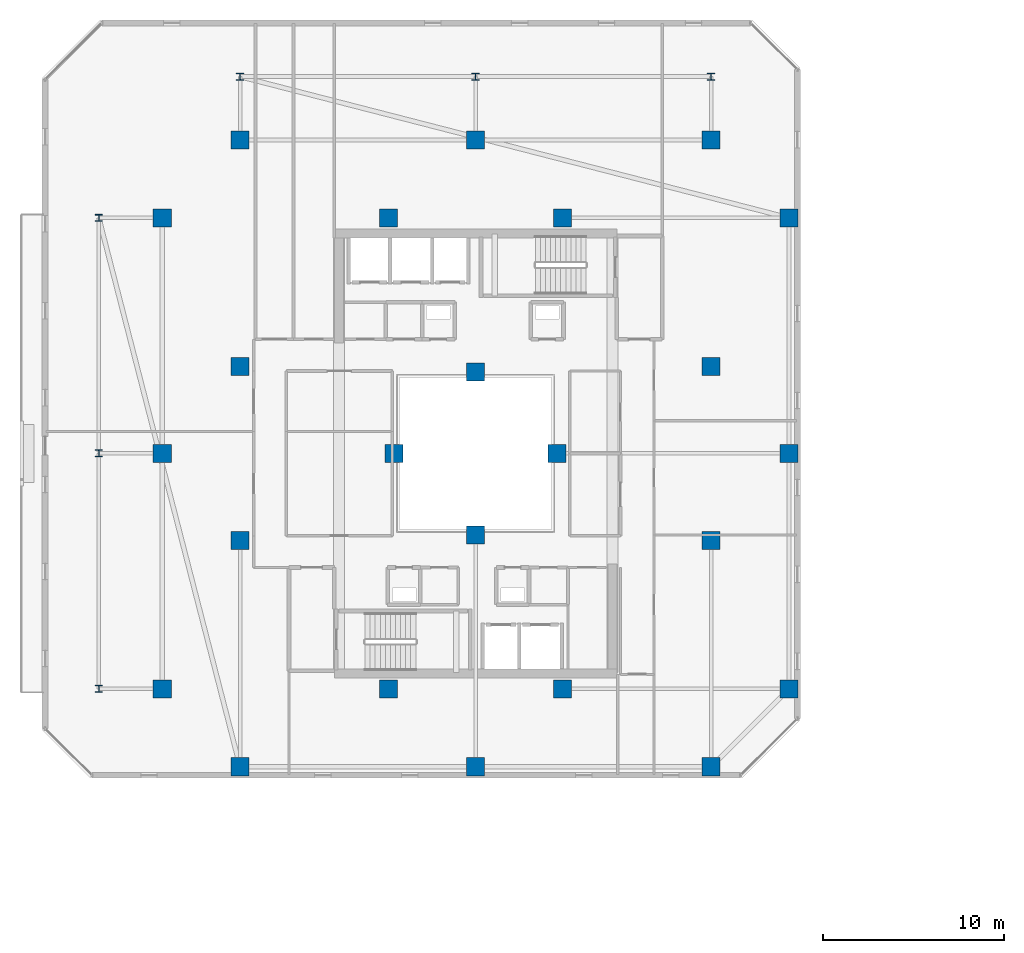
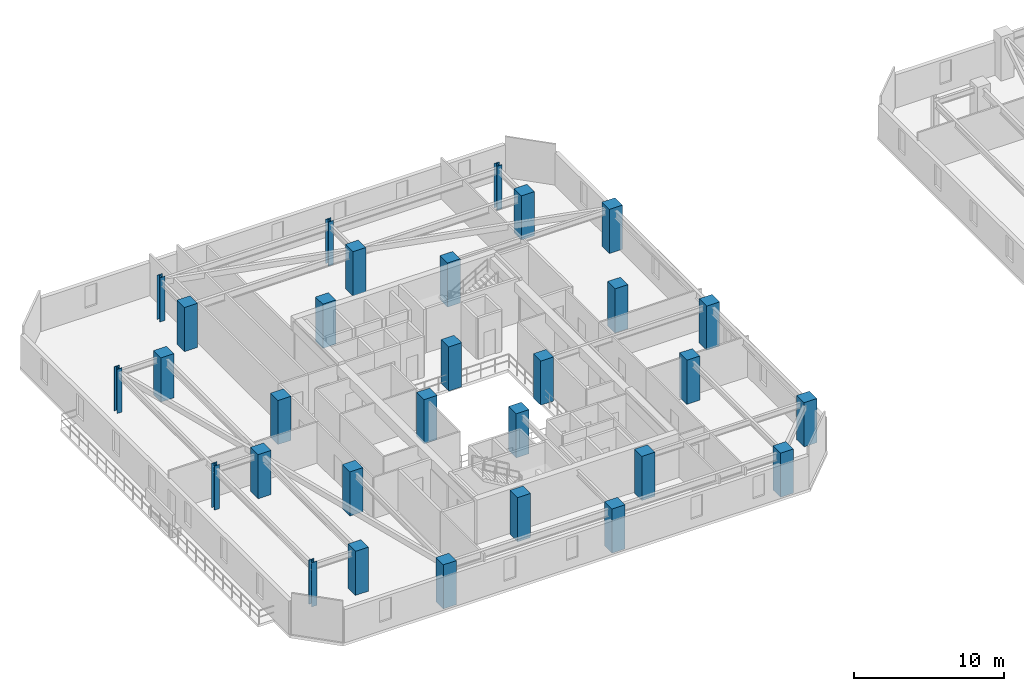
# One storey, part 1 of 33: 30 columns.
"""IFC4 building model written with IfcOpenShell, lengths in metres."""

from ifc_helpers import new_model, si_unit, direction, frame, origin, origin_2d, place, context, subcontext, project, spatial, rectangle, i_section, extrude, material, material_profile, profile_set, type_object, element, save


model = new_model("IFC4")

# Units and contexts
model_context = context("Model", 3, precision=1e-05, world=origin(), true_north=direction((0.0, 1.0)))
body_context = subcontext(model_context, "Body", "Model", "MODEL_VIEW")
ifc_project = project(units=[si_unit("LENGTHUNIT", "METRE"), si_unit("AREAUNIT", "SQUARE_METRE"), si_unit("VOLUMEUNIT", "CUBIC_METRE"), si_unit("PLANEANGLEUNIT", "RADIAN"), si_unit("MASSUNIT", "GRAM", prefix="KILO")], contexts=[model_context])

# Site, building, storey
site_placement = place(None, origin())
site = spatial("IfcSite", under=ifc_project, at=site_placement, CompositionType="ELEMENT")
building_placement = place(site_placement, origin())
building = spatial("IfcBuilding", under=site, at=building_placement, Name="Thornwick Lancets Civic Towers", CompositionType="ELEMENT")
storey_placement = place(building_placement, frame((0.0, 0.0, 214.5)))
storey = spatial("IfcBuildingStorey", under=building, at=storey_placement, Name="L57", CompositionType="ELEMENT", Elevation=214.5)

# Columns
ifc_material_1 = material(Name="Concrete C50/60", Category="concrete")
ifc_material_profile_1 = material_profile(ifc_material_1, rectangle(XDim=1.0, YDim=1.0, at=origin_2d()), Name="RC 1000x1000")
ifc_profile_set_1 = profile_set([ifc_material_profile_1], Name="Concrete C50/60")
column_type_1 = type_object("IfcColumnType", Name="COL_RC_1000", PredefinedType="COLUMN", material=ifc_profile_set_1)
for number, where, z_axis, x_axis, name in (
    (1, (12.5, 9.699951171875, 0.0), (0.0, 0.0, 1.0), (1.0, 0.0, 0.0), "L57 Spine Mega-Column A01"),
    (2, (25.5, 9.699951171875, 0.0), (0.0, 0.0, 1.0), (1.0, 0.0, 0.0), "L57 Spine Mega-Column A02"),
    (3, (38.5, 9.699951171875, 0.0), (0.0, 0.0, 1.0), (1.0, 0.0, 0.0), "L57 Spine Mega-Column A03"),
    (4, (42.800048828125, 14.0, 0.0), (0.0, 0.0, 1.0), (1.0, 0.0, 0.0), "L57 Spine Mega-Column A04"),
    (5, (42.800048828125, 27.0, 0.0), (0.0, 0.0, 1.0), (1.0, 0.0, 0.0), "L57 Spine Mega-Column A05"),
    (6, (42.800048828125, 40.0, 0.0), (0.0, 0.0, 1.0), (1.0, 0.0, 0.0), "L57 Spine Mega-Column A06"),
    (7, (12.5, 44.300048828125, 0.0), (0.0, 0.0, 1.0), (1.0, 0.0, 0.0), "L57 Spine Mega-Column A07"),
    (8, (25.5, 44.300048828125, 0.0), (0.0, 0.0, 1.0), (1.0, 0.0, 0.0), "L57 Spine Mega-Column A08"),
    (9, (38.5, 44.300048828125, 0.0), (0.0, 0.0, 1.0), (1.0, 0.0, 0.0), "L57 Spine Mega-Column A09"),
    (10, (8.199951171875, 14.0, 0.0), (0.0, 0.0, 1.0), (1.0, 0.0, 0.0), "L57 Spine Mega-Column A10"),
    (11, (8.199951171875, 27.0, 0.0), (0.0, 0.0, 1.0), (1.0, 0.0, 0.0), "L57 Spine Mega-Column A11"),
    (12, (8.199951171875, 40.0, 0.0), (0.0, 0.0, 1.0), (1.0, 0.0, 0.0), "L57 Spine Mega-Column A12"),
    (13, (12.5, 22.199951171875, 0.0), (0.0, 0.0, 1.0), (1.0, 0.0, 0.0), "L57 Spine Mega-Column A13"),
    (14, (38.5, 22.199951171875, 0.0), (0.0, 0.0, 1.0), (1.0, 0.0, 0.0), "L57 Spine Mega-Column A14"),
    (15, (12.5, 31.800048828125, 0.0), (0.0, 0.0, 1.0), (1.0, 0.0, 0.0), "L57 Spine Mega-Column A15"),
    (16, (38.5, 31.800048828125, 0.0), (0.0, 0.0, 1.0), (1.0, 0.0, 0.0), "L57 Spine Mega-Column A16"),
    (17, (20.699951171875, 14.0, 0.0), (0.0, 0.0, 1.0), (1.0, 0.0, 0.0), "L57 Spine Mega-Column A17"),
    (18, (30.300048828125, 14.0, 0.0), (0.0, 0.0, 1.0), (1.0, 0.0, 0.0), "L57 Spine Mega-Column A18"),
    (19, (20.699951171875, 40.0, 0.0), (0.0, 0.0, 1.0), (1.0, 0.0, 0.0), "L57 Spine Mega-Column A19"),
    (20, (30.300048828125, 40.0, 0.0), (0.0, 0.0, 1.0), (1.0, 0.0, 0.0), "L57 Spine Mega-Column A20"),
    (21, (25.5, 22.5, 0.0), (0.0, 0.0, 1.0), (1.0, 0.0, 0.0), "L57 Spine Mega-Column A21"),
    (22, (25.5, 31.5, 0.0), (0.0, 0.0, 1.0), (1.0, 0.0, 0.0), "L57 Spine Mega-Column A22"),
    (23, (21.0, 27.0, 0.0), (0.0, 0.0, 1.0), (1.0, 0.0, 0.0), "L57 Spine Mega-Column A23"),
    (24, (30.0, 27.0, 0.0), (0.0, 0.0, 1.0), (1.0, 0.0, 0.0), "L57 Spine Mega-Column A24"),
):
    element("IfcColumn", number, at=place(storey_placement, frame(where, z_axis=z_axis, x_axis=x_axis)), inside=storey, type_object=column_type_1, Name=name, PredefinedType="COLUMN", context=body_context, shape_type="SweptSolid", body=[
        extrude(rectangle(XDim=1.0, YDim=1.0, at=origin_2d()), origin(), (0.0, 0.0, 1.0), 3.60009765625),
    ])
ifc_material_2 = material(Name="Steel S355JR", Category="steel")
ifc_material_profile_2 = material_profile(ifc_material_2, i_section(OverallWidth=0.39892578125, OverallDepth=0.3935546875, WebThickness=0.022705078125, FlangeThickness=0.03662109375, FilletRadius=0.01513671875, at=origin_2d()), Name="UKC 356x406x287")
ifc_profile_set_2 = profile_set([ifc_material_profile_2], Name="Steel S355JR")
column_type_2 = type_object("IfcColumnType", Name="COL_UKC_287", PredefinedType="COLUMN", material=ifc_profile_set_2)
for number, where, z_axis, x_axis, name in (
    (25, (12.5, 47.800048828125, 0.0), (0.0, 0.0, 1.0), (1.0, 0.0, 0.0), "L57 Block Perimeter Column A07"),
    (26, (25.5, 47.800048828125, 0.0), (0.0, 0.0, 1.0), (1.0, 0.0, 0.0), "L57 Block Perimeter Column A08"),
    (27, (38.5, 47.800048828125, 0.0), (0.0, 0.0, 1.0), (1.0, 0.0, 0.0), "L57 Block Perimeter Column A09"),
    (28, (4.699951171875, 14.0, 0.0), (0.0, 0.0, 1.0), (1.0, 0.0, 0.0), "L57 Block Perimeter Column A10"),
    (29, (4.699951171875, 27.0, 0.0), (0.0, 0.0, 1.0), (1.0, 0.0, 0.0), "L57 Block Perimeter Column A11"),
    (30, (4.699951171875, 40.0, 0.0), (0.0, 0.0, 1.0), (1.0, 0.0, 0.0), "L57 Block Perimeter Column A12"),
):
    element("IfcColumn", number, at=place(storey_placement, frame(where, z_axis=z_axis, x_axis=x_axis)), inside=storey, type_object=column_type_2, Name=name, PredefinedType="COLUMN", context=body_context, shape_type="SweptSolid", body=[
        extrude(i_section(OverallWidth=0.39892578125, OverallDepth=0.3935546875, WebThickness=0.022705078125, FlangeThickness=0.03662109375, FilletRadius=0.01513671875, at=origin_2d()), origin(), (0.0, 0.0, 1.0), 3.60009765625),
    ])

save(model, "model.ifc")
